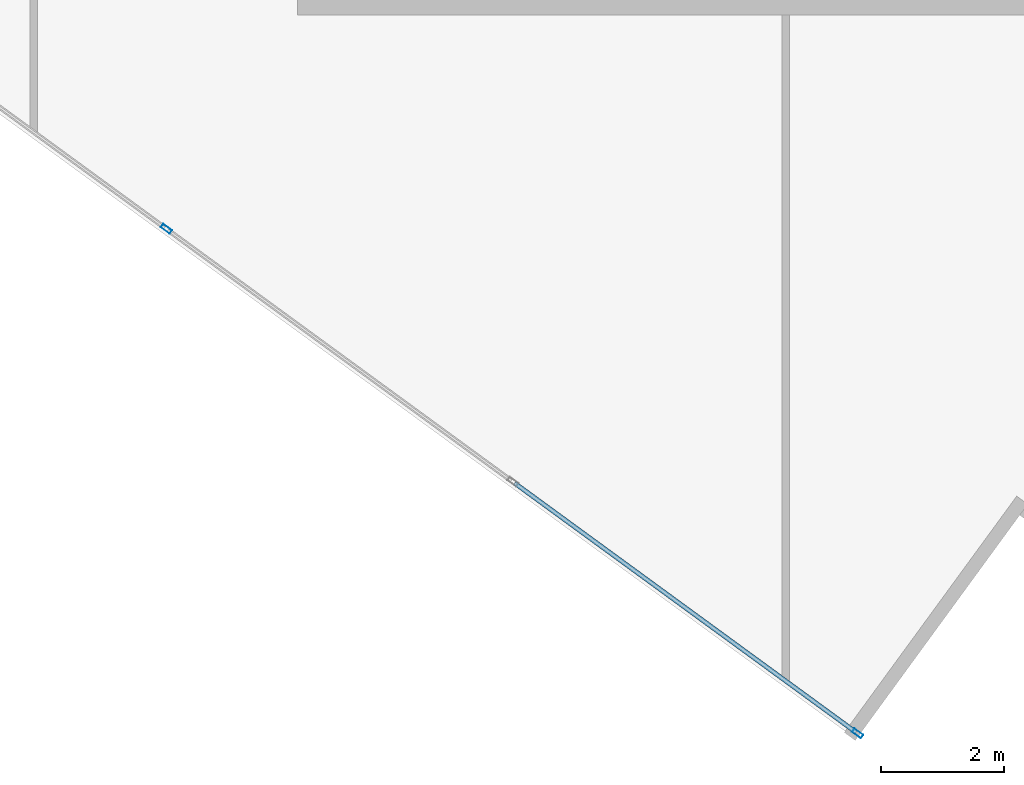
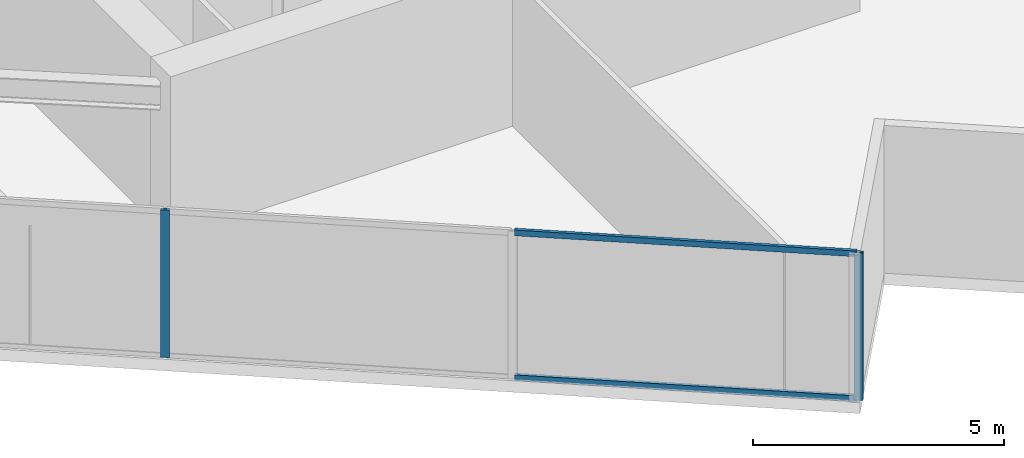
# One storey, part 3 of 25: 4 members, 1 element without a shape of its own.
"""IFC4 building model written with IfcOpenShell, lengths in metres."""

from ifc_helpers import new_model, si_unit, direction, frame, origin, origin_2d, place, context, subcontext, project, spatial, hollow_rectangle, extrude, source, transform, mapped, material, material_profile, profile_set, type_object, type_shapes, element, aggregate, save


model = new_model("IFC4")

# Units and contexts
model_context = context("Model", 3, precision=1e-05, world=origin(), true_north=direction((0.0, 1.0)))
body_context = subcontext(model_context, "Body", "Model", "MODEL_VIEW")
ifc_project = project(units=[si_unit("LENGTHUNIT", "METRE"), si_unit("AREAUNIT", "SQUARE_METRE"), si_unit("VOLUMEUNIT", "CUBIC_METRE"), si_unit("PLANEANGLEUNIT", "RADIAN"), si_unit("MASSUNIT", "GRAM", prefix="KILO")], contexts=[model_context])

# Site, building, storey
site_placement = place(None, origin())
site = spatial("IfcSite", under=ifc_project, at=site_placement, CompositionType="ELEMENT")
building_placement = place(site_placement, origin())
building = spatial("IfcBuilding", under=site, at=building_placement, Name="Krantzveldt Concourse Tower", CompositionType="ELEMENT")
storey_placement = place(building_placement, frame((0.0, 0.0, 197.550048828125)))
storey = spatial("IfcBuildingStorey", under=building, at=storey_placement, Name="L48", CompositionType="ELEMENT", Elevation=197.550048828125)

# Curtain wall, members
ifc_material = material(Name="Anodised aluminium 6063-T6", Category="aluminium")
curtain_wall_type = type_object("IfcCurtainWallType", Name="CW3", PredefinedType="USERDEFINED", material=ifc_material)
curtain_wall_placement = place(storey_placement, origin())
curtain_wall = element("IfcCurtainWall", 1, at=curtain_wall_placement, inside=storey, type_object=curtain_wall_type, Name="CW-L48-F04", ObjectType="UNITISED CURTAIN WALL", PredefinedType="USERDEFINED")
ifc_material_profile_1 = material_profile(ifc_material, hollow_rectangle(XDim=0.070068359375, YDim=0.179931640625, WallThickness=0.0048828125, at=origin_2d()), Name="Anodised aluminium 6063-T6", Category="aluminium")
ifc_profile_set_1 = profile_set([ifc_material_profile_1], Name="Anodised aluminium 6063-T6 - ALU-MULL 180x70x5")
member_type_1 = type_object("IfcMemberType", Name="CW-MUL-180", PredefinedType="MULLION", material=ifc_profile_set_1)
shared_shape_1 = source(origin(), body_context, "Body", "SweptSolid", [
    extrude(hollow_rectangle(XDim=0.070068359375, YDim=0.179931640625, WallThickness=0.0048828125, at=origin_2d()), origin(), (0.0, 0.0, 1.0), 3.58984375),
])
type_shapes(member_type_1, [shared_shape_1])
member_1_placement = place(storey_placement, frame((25.952880859375, 7.03173828125, 0.0), z_axis=(0.0, 0.0, 1.0), x_axis=(0.589548833895, 0.807732735781, 0.0)))
member_1 = element("IfcMember", 2, at=member_1_placement, type_object=member_type_1, Name="CW-Z34 mullion 4", PredefinedType="MULLION", context=body_context, shape_type="MappedRepresentation", body=[
    mapped(shared_shape_1, transform((0.0, 0.0, 0.0), x_axis=(1.0, 0.0, 0.0), y_axis=(0.0, 1.0, 0.0), z_axis=(0.0, 0.0, 1.0), scale=1.0)),
])
member_2_placement = place(storey_placement, frame((37.168212890625, -1.154052734375, 0.0), z_axis=(0.0, 0.0, 1.0), x_axis=(0.589548833895, 0.807732735781, 0.0)))
member_2 = element("IfcMember", 3, at=member_2_placement, type_object=member_type_1, Name="CW-Z34 mullion 6", PredefinedType="MULLION", context=body_context, shape_type="MappedRepresentation", body=[
    mapped(shared_shape_1, transform((0.0, 0.0, 0.0), x_axis=(1.0, 0.0, 0.0), y_axis=(0.0, 1.0, 0.0), z_axis=(0.0, 0.0, 1.0), scale=1.0)),
])
ifc_material_profile_2 = material_profile(ifc_material, hollow_rectangle(XDim=0.070068359375, YDim=0.139892578125, WallThickness=0.0048828125, at=origin_2d()), Name="Anodised aluminium 6063-T6", Category="aluminium")
ifc_profile_set_2 = profile_set([ifc_material_profile_2], Name="Anodised aluminium 6063-T6 - ALU-TRAN 140x70x5")
member_type_2 = type_object("IfcMemberType", Name="CW-TRN-150", PredefinedType="USERDEFINED", material=ifc_profile_set_2)
shared_shape_2 = source(origin(), body_context, "Body", "SweptSolid", [
    extrude(hollow_rectangle(XDim=0.070068359375, YDim=0.139892578125, WallThickness=0.0048828125, at=origin_2d()), origin(), (0.0, 0.0, 1.0), 6.854736328125),
])
type_shapes(member_type_2, [shared_shape_2])
member_3_placement = place(storey_placement, frame((31.60302734375, 2.90771484375, 0.034912109375), z_axis=(0.807732274439, -0.589549465973, 0.0), x_axis=(0.589549465973, 0.807732274439, 0.0)))
member_3 = element("IfcMember", 4, at=member_3_placement, type_object=member_type_2, Name="CW-Z34 transom 5.1", ObjectType="TRANSOM", PredefinedType="USERDEFINED", context=body_context, shape_type="MappedRepresentation", body=[
    mapped(shared_shape_2, transform((0.0, 0.0, 0.0), x_axis=(1.0, 0.0, 0.0), y_axis=(0.0, 1.0, 0.0), z_axis=(0.0, 0.0, 1.0), scale=1.0)),
])
member_4_placement = place(storey_placement, frame((31.60302734375, 2.90771484375, 3.554931640625), z_axis=(0.807732274439, -0.589549465973, 0.0), x_axis=(0.589549465973, 0.807732274439, 0.0)))
member_4 = element("IfcMember", 5, at=member_4_placement, type_object=member_type_2, Name="CW-Z34 transom 5.2", ObjectType="TRANSOM", PredefinedType="USERDEFINED", context=body_context, shape_type="MappedRepresentation", body=[
    mapped(shared_shape_2, transform((0.0, 0.0, 0.0), x_axis=(1.0, 0.0, 0.0), y_axis=(0.0, 1.0, 0.0), z_axis=(0.0, 0.0, 1.0), scale=1.0)),
])
aggregate(curtain_wall, [member_1, member_2, member_3, member_4])

save(model, "model.ifc")
